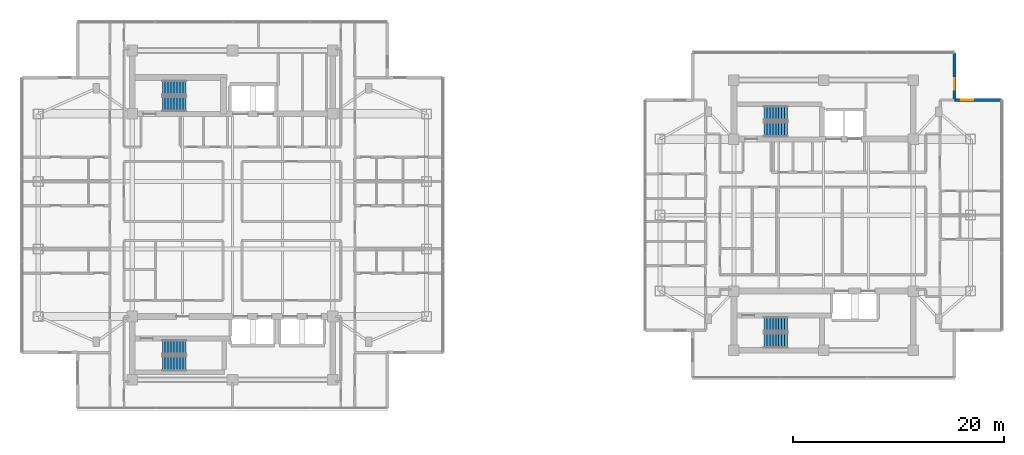
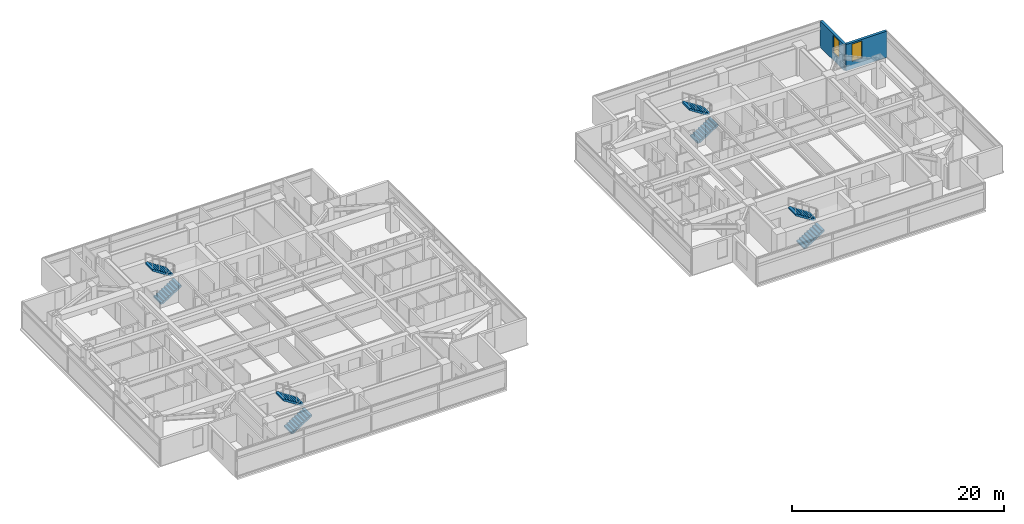
# One storey, part 18 of 24: 8 stair flights, 2 walls, 2 windows, 2 openings, 4 elements without a shape of their own.
"""IFC4 building model written with IfcOpenShell, lengths in metres."""

from ifc_helpers import new_model, si_unit, direction, frame, frame_2d, origin, place, context, subcontext, project, spatial, polyline, rectangle, outline, extrude, material, layer, layer_set, type_object, element, fill, aggregate, save


model = new_model("IFC4")

# Units and contexts
model_context = context("Model", 3, precision=1e-05, world=origin(), true_north=direction((0.0, 1.0)))
body_context = subcontext(model_context, "Body", "Model", "MODEL_VIEW")
ifc_project = project(units=[si_unit("LENGTHUNIT", "METRE"), si_unit("AREAUNIT", "SQUARE_METRE"), si_unit("VOLUMEUNIT", "CUBIC_METRE"), si_unit("PLANEANGLEUNIT", "RADIAN"), si_unit("MASSUNIT", "GRAM", prefix="KILO")], contexts=[model_context])

# Site, building, storey
site_placement = place(None, origin())
site = spatial("IfcSite", under=ifc_project, at=site_placement, CompositionType="ELEMENT")
building_placement = place(site_placement, origin())
building = spatial("IfcBuilding", under=site, at=building_placement, Name="Mirazonda Arch Towers", CompositionType="ELEMENT")
storey_placement = place(building_placement, frame((0.0, 0.0, 157.64990234375)))
storey = spatial("IfcBuildingStorey", under=building, at=storey_placement, Name="L44", CompositionType="ELEMENT", Elevation=157.64990234375)

# Wall, opening, window
ifc_material_1 = material(Name="Precast Concrete C40/50", Category="concrete")
ifc_layer = layer(ifc_material_1, 0.280029296875, Name="WALL-EXT-WALL-280")
ifc_layer_set = layer_set([ifc_layer], Name="Precast Concrete C40/50")
wall_type = type_object("IfcWallType", Name="WALL-EXT-WALL-280", PredefinedType="SOLIDWALL", material=ifc_layer_set)
wall_1_placement = place(storey_placement, frame((88.9052734375, 38.90966796875, 0.0), z_axis=(0.0, 0.0, 1.0), x_axis=(0.0, 1.0, 0.0)))
wall_1 = element("IfcWall", 1, at=wall_1_placement, inside=storey, type_object=wall_type, Name="L44 T2 Notched NE Corner Wall WL-L44-T2-CNE", PredefinedType="SOLIDWALL", context=body_context, shape_type="SweptSolid", body=[
    extrude(rectangle(XDim=4.465087890625, YDim=0.280029296875, at=frame_2d((2.232421875, 0.0))), origin(), (0.0, 0.0, 1.0), 3.030029296875),
])
opening_1_placement = place(wall_1_placement, frame((0.949951171875, 0.0, 0.85009765625)))
opening_1 = element("IfcOpeningElement", 2, at=opening_1_placement, cuts=wall_1, Name="Opening WN-108", PredefinedType="OPENING", context=body_context, shape_type="SweptSolid", body=[
    extrude(rectangle(XDim=1.10009765625, YDim=2.0, at=frame_2d((0.550048828125, 1.0))), frame((0.0, 0.14990234375, 0.0), z_axis=(0.0, -1.0, 0.0), x_axis=(1.0, 0.0, 0.0)), (0.0, 0.0, 1.0), 0.300048828125),
])
ifc_material_2 = material(Name="Insulated Low-E Solar Glass", Category="glass")
window_type = type_object("IfcWindowType", Name="WIN-NOTCH-1100x2000", PartitioningType="SINGLE_PANEL", PredefinedType="WINDOW", material=ifc_material_2)
window_1_placement = place(opening_1_placement, origin())
window_1 = element("IfcWindow", 3, at=window_1_placement, inside=storey, type_object=window_type, Name="L44 Punched Facade Window WN-L44-T2-CNE", OverallHeight=2.0, OverallWidth=1.10009765625, PartitioningType="SINGLE_PANEL", PredefinedType="WINDOW", context=body_context, shape_type="SweptSolid", body=[
    extrude(rectangle(XDim=1.10009765625, YDim=2.0, at=frame_2d((0.550048828125, 1.0))), frame((0.0, 0.030029296875, 0.0), z_axis=(0.0, -1.0, 0.0), x_axis=(1.0, 0.0, 0.0)), (0.0, 0.0, 1.0), 0.06005859375),
])
fill(opening_1, window_1)

wall_2_placement = place(storey_placement, frame((93.37060546875, 38.90966796875, 0.0), z_axis=(0.0, 0.0, 1.0), x_axis=(-1.0, 0.0, 0.0)))
wall_2 = element("IfcWall", 4, at=wall_2_placement, inside=storey, type_object=wall_type, Name="L44 T2 Corner Notch Return Wall WL-L44-T2-CNE2", PredefinedType="SOLIDWALL", context=body_context, shape_type="SweptSolid", body=[
    extrude(rectangle(XDim=4.46533203125, YDim=0.280029296875, at=frame_2d((2.232666015625, 0.0))), origin(), (0.0, 0.0, 1.0), 3.030029296875),
])
opening_2_placement = place(wall_2_placement, frame((2.715087890625, 0.0, 0.85009765625)))
opening_2 = element("IfcOpeningElement", 5, at=opening_2_placement, cuts=wall_2, Name="Opening WN-108", PredefinedType="OPENING", context=body_context, shape_type="SweptSolid", body=[
    extrude(rectangle(XDim=1.10009765625, YDim=2.0, at=frame_2d((0.550048828125, 1.0))), frame((0.0, 0.14990234375, 0.0), z_axis=(0.0, -1.0, 0.0), x_axis=(1.0, 0.0, 0.0)), (0.0, 0.0, 1.0), 0.300048828125),
])
window_2_placement = place(opening_2_placement, origin())
window_2 = element("IfcWindow", 6, at=window_2_placement, inside=storey, type_object=window_type, Name="L44 Punched Facade Window WN-L44-T2-CNE2", OverallHeight=2.0, OverallWidth=1.10009765625, PartitioningType="SINGLE_PANEL", PredefinedType="WINDOW", context=body_context, shape_type="SweptSolid", body=[
    extrude(rectangle(XDim=1.10009765625, YDim=2.0, at=frame_2d((0.550048828125, 1.0))), frame((0.0, 0.030029296875, 0.0), z_axis=(0.0, -1.0, 0.0), x_axis=(1.0, 0.0, 0.0)), (0.0, 0.0, 1.0), 0.06005859375),
])
fill(opening_2, window_2)

# Stair, stair flights
ifc_material_3 = material(Name="Concrete C40/50", Category="concrete")
stair_type = type_object("IfcStairType", Name="STAIR-CORE-1400", PredefinedType="HALF_TURN_STAIR", material=ifc_material_3)
stair_1_placement = place(storey_placement, origin())
stair_1 = element("IfcStair", 7, at=stair_1_placement, inside=storey, type_object=stair_type, Name="L44 Protected Exit Stair ST-T1N", PredefinedType="HALF_TURN_STAIR")
stair_flight_type = type_object("IfcStairFlightType", Name="FLIGHT-1400", PredefinedType="STRAIGHT", material=ifc_material_3)
stair_flight_1_placement = place(storey_placement, frame((13.85009765625, 38.52001953125, 0.0), z_axis=(0.0, 0.0, 1.0), x_axis=(1.0, 0.0, 0.0)))
stair_flight_1 = element("IfcStairFlight", 8, at=stair_flight_1_placement, type_object=stair_flight_type, Name="ST-T1N flight 1", NumberOfRisers=9, NumberOfTreads=8, PredefinedType="STRAIGHT", RiserHeight=0.180555556, TreadLength=0.28, context=body_context, shape_type="SweptSolid", body=[
    extrude(outline(polyline([(0.0, 0.0), (0.0, 0.1806640625), (0.280029296875, 0.1806640625), (0.280029296875, 0.361083984375), (0.56005859375, 0.361083984375), (0.56005859375, 0.541748046875), (0.840087890625, 0.541748046875), (0.840087890625, 0.72216796875), (1.1201171875, 0.72216796875), (1.1201171875, 0.90283203125), (1.39990234375, 0.90283203125), (1.39990234375, 1.083251953125), (1.679931640625, 1.083251953125), (1.679931640625, 1.263916015625), (1.9599609375, 1.263916015625), (1.9599609375, 1.4443359375), (2.239990234375, 1.4443359375), (2.239990234375, 1.625), (2.239990234375, 1.254150390625), (0.295166015625, 0.0), (0.0, 0.0)])), frame((0.0, 0.699951171875, 0.0), z_axis=(0.0, -1.0, 0.0), x_axis=(1.0, 0.0, 0.0)), (0.0, 0.0, 1.0), 1.39990234375),
])
stair_flight_2_placement = place(storey_placement, frame((16.090087890625, 40.06005859375, 1.625), z_axis=(0.0, 0.0, 1.0), x_axis=(-1.0, 0.0, 0.0)))
stair_flight_2 = element("IfcStairFlight", 9, at=stair_flight_2_placement, type_object=stair_flight_type, Name="ST-T1N flight 2", NumberOfRisers=9, NumberOfTreads=8, PredefinedType="STRAIGHT", RiserHeight=0.180555556, TreadLength=0.28, context=body_context, shape_type="SweptSolid", body=[
    extrude(outline(polyline([(0.0, 0.0), (0.0, 0.1806640625), (0.280029296875, 0.1806640625), (0.280029296875, 0.361083984375), (0.56005859375, 0.361083984375), (0.56005859375, 0.541748046875), (0.840087890625, 0.541748046875), (0.840087890625, 0.72216796875), (1.1201171875, 0.72216796875), (1.1201171875, 0.90283203125), (1.39990234375, 0.90283203125), (1.39990234375, 1.083251953125), (1.679931640625, 1.083251953125), (1.679931640625, 1.263916015625), (1.9599609375, 1.263916015625), (1.9599609375, 1.4443359375), (2.239990234375, 1.4443359375), (2.239990234375, 1.625), (2.239990234375, 1.254150390625), (0.295166015625, 0.0), (0.0, 0.0)])), frame((0.0, 0.699951171875, 0.0), z_axis=(0.0, -1.0, 0.0), x_axis=(1.0, 0.0, 0.0)), (0.0, 0.0, 1.0), 1.39990234375),
])
aggregate(stair_1, [stair_flight_1, stair_flight_2])

stair_2_placement = place(storey_placement, origin())
stair_2 = element("IfcStair", 10, at=stair_2_placement, inside=storey, type_object=stair_type, Name="L44 Protected Exit Stair ST-T1S", PredefinedType="HALF_TURN_STAIR")
stair_flight_3_placement = place(storey_placement, frame((13.85009765625, 13.949951171875, 0.0), z_axis=(0.0, 0.0, 1.0), x_axis=(1.0, 0.0, 0.0)))
stair_flight_3 = element("IfcStairFlight", 11, at=stair_flight_3_placement, type_object=stair_flight_type, Name="ST-T1S flight 1", NumberOfRisers=9, NumberOfTreads=8, PredefinedType="STRAIGHT", RiserHeight=0.180555556, TreadLength=0.28, context=body_context, shape_type="SweptSolid", body=[
    extrude(outline(polyline([(0.0, 0.0), (0.0, 0.1806640625), (0.280029296875, 0.1806640625), (0.280029296875, 0.361083984375), (0.56005859375, 0.361083984375), (0.56005859375, 0.541748046875), (0.840087890625, 0.541748046875), (0.840087890625, 0.72216796875), (1.1201171875, 0.72216796875), (1.1201171875, 0.90283203125), (1.39990234375, 0.90283203125), (1.39990234375, 1.083251953125), (1.679931640625, 1.083251953125), (1.679931640625, 1.263916015625), (1.9599609375, 1.263916015625), (1.9599609375, 1.4443359375), (2.239990234375, 1.4443359375), (2.239990234375, 1.625), (2.239990234375, 1.254150390625), (0.295166015625, 0.0), (0.0, 0.0)])), frame((0.0, 0.699951171875, 0.0), z_axis=(0.0, -1.0, 0.0), x_axis=(1.0, 0.0, 0.0)), (0.0, 0.0, 1.0), 1.39990234375),
])
stair_flight_4_placement = place(storey_placement, frame((16.090087890625, 15.489990234375, 1.625), z_axis=(0.0, 0.0, 1.0), x_axis=(-1.0, 0.0, 0.0)))
stair_flight_4 = element("IfcStairFlight", 12, at=stair_flight_4_placement, type_object=stair_flight_type, Name="ST-T1S flight 2", NumberOfRisers=9, NumberOfTreads=8, PredefinedType="STRAIGHT", RiserHeight=0.180555556, TreadLength=0.28, context=body_context, shape_type="SweptSolid", body=[
    extrude(outline(polyline([(0.0, 0.0), (0.0, 0.1806640625), (0.280029296875, 0.1806640625), (0.280029296875, 0.361083984375), (0.56005859375, 0.361083984375), (0.56005859375, 0.541748046875), (0.840087890625, 0.541748046875), (0.840087890625, 0.72216796875), (1.1201171875, 0.72216796875), (1.1201171875, 0.90283203125), (1.39990234375, 0.90283203125), (1.39990234375, 1.083251953125), (1.679931640625, 1.083251953125), (1.679931640625, 1.263916015625), (1.9599609375, 1.263916015625), (1.9599609375, 1.4443359375), (2.239990234375, 1.4443359375), (2.239990234375, 1.625), (2.239990234375, 1.254150390625), (0.295166015625, 0.0), (0.0, 0.0)])), frame((0.0, 0.699951171875, 0.0), z_axis=(0.0, -1.0, 0.0), x_axis=(1.0, 0.0, 0.0)), (0.0, 0.0, 1.0), 1.39990234375),
])
aggregate(stair_2, [stair_flight_3, stair_flight_4])

stair_3_placement = place(storey_placement, origin())
stair_3 = element("IfcStair", 13, at=stair_3_placement, inside=storey, type_object=stair_type, Name="L44 Protected Exit Stair ST-T2N", PredefinedType="HALF_TURN_STAIR")
stair_flight_5_placement = place(storey_placement, frame((70.85009765625, 36.1201171875, 0.0), z_axis=(0.0, 0.0, 1.0), x_axis=(1.0, 0.0, 0.0)))
stair_flight_5 = element("IfcStairFlight", 14, at=stair_flight_5_placement, type_object=stair_flight_type, Name="ST-T2N flight 1", NumberOfRisers=9, NumberOfTreads=8, PredefinedType="STRAIGHT", RiserHeight=0.180555556, TreadLength=0.28, context=body_context, shape_type="SweptSolid", body=[
    extrude(outline(polyline([(0.0, 0.0), (0.0, 0.1806640625), (0.280029296875, 0.1806640625), (0.280029296875, 0.361083984375), (0.56005859375, 0.361083984375), (0.56005859375, 0.541748046875), (0.840087890625, 0.541748046875), (0.840087890625, 0.72216796875), (1.1201171875, 0.72216796875), (1.1201171875, 0.90283203125), (1.39990234375, 0.90283203125), (1.39990234375, 1.083251953125), (1.679931640625, 1.083251953125), (1.679931640625, 1.263916015625), (1.9599609375, 1.263916015625), (1.9599609375, 1.4443359375), (2.239990234375, 1.4443359375), (2.239990234375, 1.625), (2.239990234375, 1.254150390625), (0.295166015625, 0.0), (0.0, 0.0)])), frame((0.0, 0.699951171875, 0.0), z_axis=(0.0, -1.0, 0.0), x_axis=(1.0, 0.0, 0.0)), (0.0, 0.0, 1.0), 1.39990234375),
])
stair_flight_6_placement = place(storey_placement, frame((73.090087890625, 37.659912109375, 1.625), z_axis=(0.0, 0.0, 1.0), x_axis=(-1.0, 0.0, 0.0)))
stair_flight_6 = element("IfcStairFlight", 15, at=stair_flight_6_placement, type_object=stair_flight_type, Name="ST-T2N flight 2", NumberOfRisers=9, NumberOfTreads=8, PredefinedType="STRAIGHT", RiserHeight=0.180555556, TreadLength=0.28, context=body_context, shape_type="SweptSolid", body=[
    extrude(outline(polyline([(0.0, 0.0), (0.0, 0.1806640625), (0.280029296875, 0.1806640625), (0.280029296875, 0.361083984375), (0.56005859375, 0.361083984375), (0.56005859375, 0.541748046875), (0.840087890625, 0.541748046875), (0.840087890625, 0.72216796875), (1.1201171875, 0.72216796875), (1.1201171875, 0.90283203125), (1.39990234375, 0.90283203125), (1.39990234375, 1.083251953125), (1.679931640625, 1.083251953125), (1.679931640625, 1.263916015625), (1.9599609375, 1.263916015625), (1.9599609375, 1.4443359375), (2.239990234375, 1.4443359375), (2.239990234375, 1.625), (2.239990234375, 1.254150390625), (0.295166015625, 0.0), (0.0, 0.0)])), frame((0.0, 0.699951171875, 0.0), z_axis=(0.0, -1.0, 0.0), x_axis=(1.0, 0.0, 0.0)), (0.0, 0.0, 1.0), 1.39990234375),
])
aggregate(stair_3, [stair_flight_5, stair_flight_6])

stair_4_placement = place(storey_placement, origin())
stair_4 = element("IfcStair", 16, at=stair_4_placement, inside=storey, type_object=stair_type, Name="L44 Protected Exit Stair ST-T2S", PredefinedType="HALF_TURN_STAIR")
stair_flight_7_placement = place(storey_placement, frame((70.85009765625, 16.1201171875, 0.0), z_axis=(0.0, 0.0, 1.0), x_axis=(1.0, 0.0, 0.0)))
stair_flight_7 = element("IfcStairFlight", 17, at=stair_flight_7_placement, type_object=stair_flight_type, Name="ST-T2S flight 1", NumberOfRisers=9, NumberOfTreads=8, PredefinedType="STRAIGHT", RiserHeight=0.180555556, TreadLength=0.28, context=body_context, shape_type="SweptSolid", body=[
    extrude(outline(polyline([(0.0, 0.0), (0.0, 0.1806640625), (0.280029296875, 0.1806640625), (0.280029296875, 0.361083984375), (0.56005859375, 0.361083984375), (0.56005859375, 0.541748046875), (0.840087890625, 0.541748046875), (0.840087890625, 0.72216796875), (1.1201171875, 0.72216796875), (1.1201171875, 0.90283203125), (1.39990234375, 0.90283203125), (1.39990234375, 1.083251953125), (1.679931640625, 1.083251953125), (1.679931640625, 1.263916015625), (1.9599609375, 1.263916015625), (1.9599609375, 1.4443359375), (2.239990234375, 1.4443359375), (2.239990234375, 1.625), (2.239990234375, 1.254150390625), (0.295166015625, 0.0), (0.0, 0.0)])), frame((0.0, 0.699951171875, 0.0), z_axis=(0.0, -1.0, 0.0), x_axis=(1.0, 0.0, 0.0)), (0.0, 0.0, 1.0), 1.39990234375),
])
stair_flight_8_placement = place(storey_placement, frame((73.090087890625, 17.659912109375, 1.625), z_axis=(0.0, 0.0, 1.0), x_axis=(-1.0, 0.0, 0.0)))
stair_flight_8 = element("IfcStairFlight", 18, at=stair_flight_8_placement, type_object=stair_flight_type, Name="ST-T2S flight 2", NumberOfRisers=9, NumberOfTreads=8, PredefinedType="STRAIGHT", RiserHeight=0.180555556, TreadLength=0.28, context=body_context, shape_type="SweptSolid", body=[
    extrude(outline(polyline([(0.0, 0.0), (0.0, 0.1806640625), (0.280029296875, 0.1806640625), (0.280029296875, 0.361083984375), (0.56005859375, 0.361083984375), (0.56005859375, 0.541748046875), (0.840087890625, 0.541748046875), (0.840087890625, 0.72216796875), (1.1201171875, 0.72216796875), (1.1201171875, 0.90283203125), (1.39990234375, 0.90283203125), (1.39990234375, 1.083251953125), (1.679931640625, 1.083251953125), (1.679931640625, 1.263916015625), (1.9599609375, 1.263916015625), (1.9599609375, 1.4443359375), (2.239990234375, 1.4443359375), (2.239990234375, 1.625), (2.239990234375, 1.254150390625), (0.295166015625, 0.0), (0.0, 0.0)])), frame((0.0, 0.699951171875, 0.0), z_axis=(0.0, -1.0, 0.0), x_axis=(1.0, 0.0, 0.0)), (0.0, 0.0, 1.0), 1.39990234375),
])
aggregate(stair_4, [stair_flight_7, stair_flight_8])

save(model, "model.ifc")
